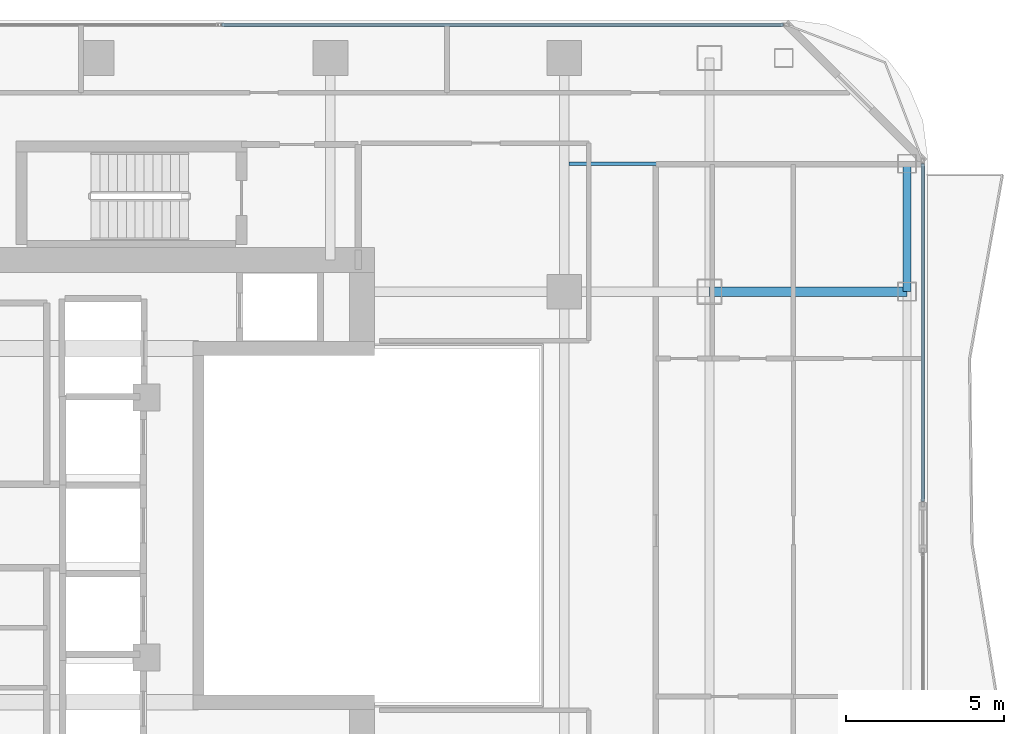
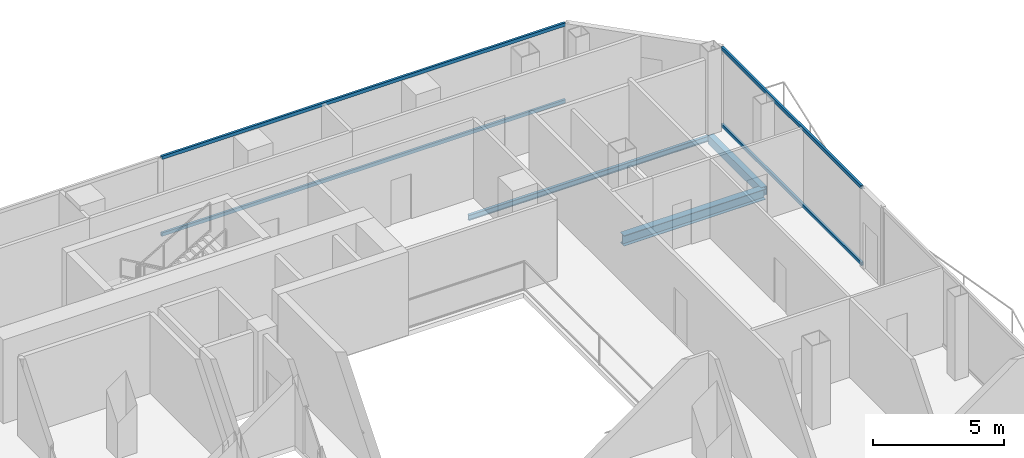
# One storey, part 17 of 26: 4 members, 3 beams, 2 elements without a shape of their own.
"""IFC4 building model written with IfcOpenShell, lengths in metres."""

from ifc_helpers import new_model, si_unit, direction, frame, origin, origin_2d, place, context, subcontext, project, spatial, hollow_rectangle, i_section, extrude, material, layer, layer_set, material_profile, profile_set, type_object, element, aggregate, save


model = new_model("IFC4")

# Units and contexts
model_context = context("Model", 3, precision=1e-05, world=origin(), true_north=direction((0.0, 1.0)))
body_context = subcontext(model_context, "Body", "Model", "MODEL_VIEW")
ifc_project = project(units=[si_unit("LENGTHUNIT", "METRE"), si_unit("AREAUNIT", "SQUARE_METRE"), si_unit("VOLUMEUNIT", "CUBIC_METRE"), si_unit("PLANEANGLEUNIT", "RADIAN"), si_unit("MASSUNIT", "GRAM", prefix="KILO")], contexts=[model_context])

# Site, building, storey
site_placement = place(None, origin())
site = spatial("IfcSite", under=ifc_project, at=site_placement, CompositionType="ELEMENT")
building_placement = place(site_placement, origin())
building = spatial("IfcBuilding", under=site, at=building_placement, Name="Khorvyn Point Tower", CompositionType="ELEMENT")
storey_placement = place(building_placement, frame((0.0, 0.0, 223.5)))
storey = spatial("IfcBuildingStorey", under=building, at=storey_placement, Name="L55", CompositionType="ELEMENT", Elevation=223.5)

# Curtain wall, members
ifc_material_1 = material(Name="Anodised aluminium 6063-T6 and laminated Low-E glass", Category="aluminium")
ifc_layer = layer(ifc_material_1, 0.18994140625)
ifc_layer_set = layer_set([ifc_layer], Name="Stick-Built Acoustic Curtain Wall CW-SYS-03")
curtain_wall_type = type_object("IfcCurtainWallType", Name="Stick-Built Acoustic Curtain Wall CW-SYS-03", PredefinedType="NOTDEFINED", material=ifc_layer_set)
curtain_wall_1_placement = place(storey_placement, origin())
curtain_wall_1 = element("IfcCurtainWall", 1, at=curtain_wall_1_placement, inside=storey, type_object=curtain_wall_type, Name="Curtain Wall", PredefinedType="NOTDEFINED")
ifc_material_2 = material(Name="Anodised aluminium 6063-T6", Category="aluminium")
ifc_material_profile_1 = material_profile(ifc_material_2, hollow_rectangle(XDim=0.10009765625, YDim=0.159912109375, WallThickness=0.00439453125, at=origin_2d()))
ifc_profile_set_1 = profile_set([ifc_material_profile_1], Name="Anodised aluminium 6063-T6 ALU-TRN-100x160")
member_type = type_object("IfcMemberType", Name="Anodised Aluminium 6063-T6 Transom ALU-TRN-100x160", PredefinedType="USERDEFINED", material=ifc_profile_set_1)
member_1_placement = place(storey_placement, frame((3.949951171875, 15.85009765625, 0.050048828125), z_axis=(1.0, 0.0, 0.0), x_axis=(0.0, 1.0, 0.0)))
member_1 = element("IfcMember", 2, at=member_1_placement, type_object=member_type, Name="Transom", ObjectType="TRANSOM", PredefinedType="USERDEFINED", context=body_context, shape_type="SweptSolid", body=[
    extrude(hollow_rectangle(XDim=0.10009765625, YDim=0.159912109375, WallThickness=0.00439453125, at=origin_2d()), origin(), (0.0, 0.0, 1.0), 17.800048828125),
])
member_2_placement = place(storey_placement, frame((3.949951171875, 15.85009765625, 3.6298828125), z_axis=(1.0, 0.0, 0.0), x_axis=(0.0, 1.0, 0.0)))
member_2 = element("IfcMember", 3, at=member_2_placement, type_object=member_type, Name="Transom", ObjectType="TRANSOM", PredefinedType="USERDEFINED", context=body_context, shape_type="SweptSolid", body=[
    extrude(hollow_rectangle(XDim=0.10009765625, YDim=0.159912109375, WallThickness=0.00439453125, at=origin_2d()), origin(), (0.0, 0.0, 1.0), 17.800048828125),
])
aggregate(curtain_wall_1, [member_1, member_2])

curtain_wall_2_placement = place(storey_placement, origin())
curtain_wall_2 = element("IfcCurtainWall", 4, at=curtain_wall_2_placement, inside=storey, type_object=curtain_wall_type, Name="Curtain Wall", PredefinedType="NOTDEFINED")
member_3_placement = place(storey_placement, frame((26.14990234375, 11.449951171875, 0.050048828125), z_axis=(0.0, -1.0, 0.0), x_axis=(1.0, 0.0, 0.0)))
member_3 = element("IfcMember", 5, at=member_3_placement, type_object=member_type, Name="Transom", ObjectType="TRANSOM", PredefinedType="USERDEFINED", context=body_context, shape_type="SweptSolid", body=[
    extrude(hollow_rectangle(XDim=0.10009765625, YDim=0.159912109375, WallThickness=0.00439453125, at=origin_2d()), origin(), (0.0, 0.0, 1.0), 10.695068359375),
])
member_4_placement = place(storey_placement, frame((26.14990234375, 11.449951171875, 3.6298828125), z_axis=(0.0, -1.0, 0.0), x_axis=(1.0, 0.0, 0.0)))
member_4 = element("IfcMember", 6, at=member_4_placement, type_object=member_type, Name="Transom", ObjectType="TRANSOM", PredefinedType="USERDEFINED", context=body_context, shape_type="SweptSolid", body=[
    extrude(hollow_rectangle(XDim=0.10009765625, YDim=0.159912109375, WallThickness=0.00439453125, at=origin_2d()), origin(), (0.0, 0.0, 1.0), 10.695068359375),
])
aggregate(curtain_wall_2, [member_3, member_4])

# Beams
ifc_material_3 = material(Name="Steel S355", Category="steel")
ifc_material_profile_2 = material_profile(ifc_material_3, i_section(OverallWidth=0.125, OverallDepth=0.25, WebThickness=0.006103515625, FlangeThickness=0.009033203125, at=origin_2d()))
ifc_profile_set_2 = profile_set([ifc_material_profile_2], Name="Steel S355 H250x125x6x9")
beam_type_1 = type_object("IfcBeamType", Name="Steel S355 Joist H250x125x6x9", PredefinedType="JOIST", material=ifc_profile_set_2)
beam_1_placement = place(storey_placement, frame((14.949951171875, 11.449951171875, -0.344970703125), z_axis=(1.0, 0.0, 0.0), x_axis=(0.0, 1.0, 0.0)))
element("IfcBeam", 7, at=beam_1_placement, inside=storey, type_object=beam_type_1, Name="Beam", PredefinedType="JOIST", context=body_context, shape_type="SweptSolid", body=[
    extrude(i_section(OverallWidth=0.125, OverallDepth=0.25, WebThickness=0.006103515625, FlangeThickness=0.009033203125, at=origin_2d()), origin(), (0.0, 0.0, 1.0), 10.574951171875),
])
ifc_material_profile_3 = material_profile(ifc_material_3, i_section(OverallWidth=0.300048828125, OverallDepth=0.488037109375, WebThickness=0.010986328125, FlangeThickness=0.01806640625, at=origin_2d()))
ifc_profile_set_3 = profile_set([ifc_material_profile_3], Name="Steel S355 H488x300x11x18")
beam_type_2 = type_object("IfcBeamType", Name="Steel S355 Spandrel H488x300x11x18", PredefinedType="SPANDREL", material=ifc_profile_set_3)
beam_2_placement = place(storey_placement, frame((19.39990234375, 7.39990234375, -0.464111328125), z_axis=(1.0, 0.0, 0.0), x_axis=(0.0, 1.0, 0.0)))
element("IfcBeam", 8, at=beam_2_placement, inside=storey, type_object=beam_type_2, Name="Beam", PredefinedType="SPANDREL", context=body_context, shape_type="SweptSolid", body=[
    extrude(i_section(OverallWidth=0.300048828125, OverallDepth=0.488037109375, WebThickness=0.010986328125, FlangeThickness=0.01806640625, at=origin_2d()), origin(), (0.0, 0.0, 1.0), 6.25),
])
ifc_material_profile_4 = material_profile(ifc_material_3, hollow_rectangle(XDim=0.25, YDim=0.39990234375, WallThickness=0.01611328125, at=origin_2d()))
ifc_profile_set_4 = profile_set([ifc_material_profile_4], Name="Steel S355 RHS400x250x16")
beam_type_3 = type_object("IfcBeamType", Name="Steel S355 Spandrel RHS400x250x16", PredefinedType="SPANDREL", material=ifc_profile_set_4)
beam_3_placement = place(storey_placement, frame((25.64990234375, 7.39990234375, -0.419921875), z_axis=(0.0, 1.0, 0.0), x_axis=(-1.0, 0.0, 0.0)))
element("IfcBeam", 9, at=beam_3_placement, inside=storey, type_object=beam_type_3, Name="Beam", PredefinedType="SPANDREL", context=body_context, shape_type="SweptSolid", body=[
    extrude(hollow_rectangle(XDim=0.25, YDim=0.39990234375, WallThickness=0.01611328125, at=origin_2d()), origin(), (0.0, 0.0, 1.0), 4.050048828125),
])

save(model, "model.ifc")
